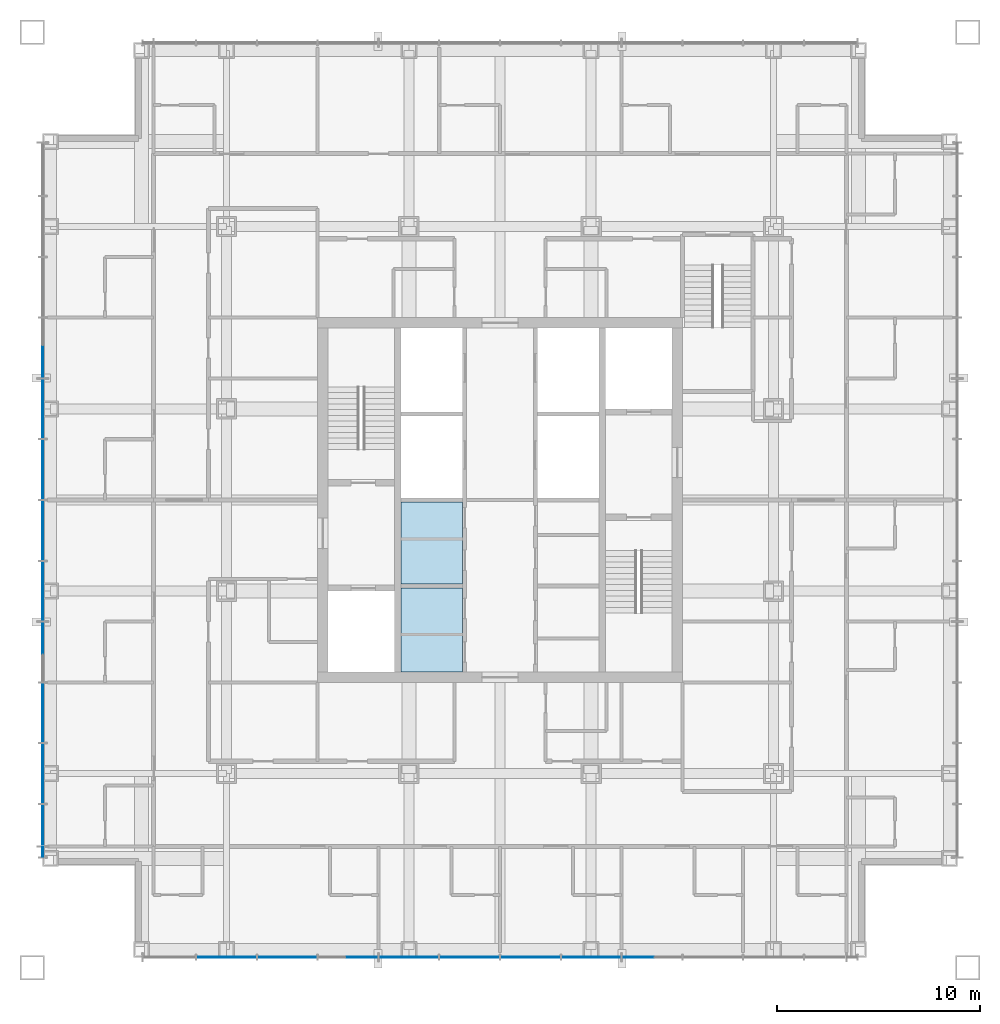
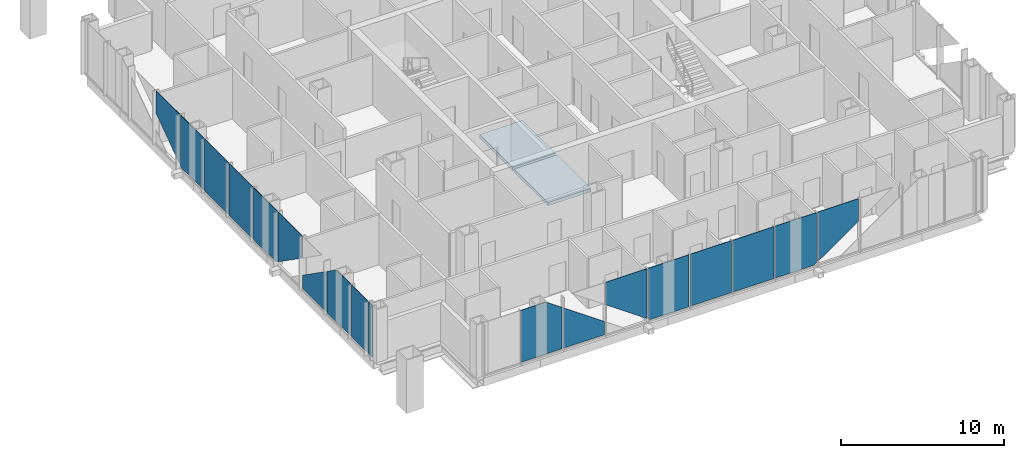
# One storey, part 6 of 16: 18 plates, 2 slabs, 2 elements without a shape of their own.
"""IFC4 building model written with IfcOpenShell, lengths in metres."""

from ifc_helpers import new_model, si_unit, direction, frame, origin, origin_2d, place, context, subcontext, project, spatial, polyline, rectangle, outline, extrude, material, layer, layer_set, type_object, element, aggregate, save


model = new_model("IFC4")

# Units and contexts
model_context = context("Model", 3, precision=1e-05, world=origin(), true_north=direction((0.0, 1.0)))
body_context = subcontext(model_context, "Body", "Model", "MODEL_VIEW")
ifc_project = project(units=[si_unit("LENGTHUNIT", "METRE"), si_unit("AREAUNIT", "SQUARE_METRE"), si_unit("VOLUMEUNIT", "CUBIC_METRE"), si_unit("PLANEANGLEUNIT", "RADIAN"), si_unit("MASSUNIT", "GRAM", prefix="KILO")], contexts=[model_context])

# Site, building, storey
site_placement = place(None, origin())
site = spatial("IfcSite", under=ifc_project, at=site_placement, CompositionType="ELEMENT")
building_placement = place(site_placement, origin())
building = spatial("IfcBuilding", under=site, at=building_placement, Name="Malebo Sky Hospital", CompositionType="ELEMENT")
storey_placement = place(building_placement, frame((0.0, 0.0, 197.0)))
storey = spatial("IfcBuildingStorey", under=building, at=storey_placement, Name="L47", CompositionType="ELEMENT", Elevation=197.0)

# Slabs
ifc_material_1 = material(Name="Concrete C40/50", Category="concrete")
ifc_layer_1 = layer(ifc_material_1, 0.25)
ifc_layer_set_1 = layer_set([ifc_layer_1], Name="SHAFT INFILL SLAB 250")
slab_type = type_object("IfcSlabType", Name="SHAFT INFILL SLAB 250", PredefinedType="FLOOR", material=ifc_layer_set_1)
slab_1_placement = place(storey_placement, frame((0.0, 0.0, -0.25)))
element("IfcSlab", 1, at=slab_1_placement, inside=storey, type_object=slab_type, Name="Shaft infill slab W1 L47", PredefinedType="FLOOR", context=body_context, shape_type="SweptSolid", body=[
    extrude(outline(polyline([(55.10009765625, 53.5), (58.14990234375, 53.5), (58.14990234375, 57.64990234375), (55.10009765625, 57.64990234375), (55.10009765625, 53.5)])), origin(), (0.0, 0.0, 1.0), 0.25),
])
slab_2_placement = place(storey_placement, frame((0.0, 0.0, -0.25)))
element("IfcSlab", 2, at=slab_2_placement, inside=storey, type_object=slab_type, Name="Shaft infill slab W2 L47", PredefinedType="FLOOR", context=body_context, shape_type="SweptSolid", body=[
    extrude(outline(polyline([(55.10009765625, 57.85009765625), (58.14990234375, 57.85009765625), (58.14990234375, 61.89990234375), (55.10009765625, 61.89990234375), (55.10009765625, 57.85009765625)])), origin(), (0.0, 0.0, 1.0), 0.25),
])

# Curtain wall, plates
ifc_material_2 = material(Name="Anodised aluminium, natural silver", Category="aluminium")
ifc_layer_2 = layer(ifc_material_2, 0.25)
ifc_layer_set_2 = layer_set([ifc_layer_2], Name="WARD CURTAIN WALL EAST AND WEST")
curtain_wall_type_1 = type_object("IfcCurtainWallType", Name="WARD CURTAIN WALL EAST AND WEST", PredefinedType="NOTDEFINED", material=ifc_layer_set_2)
curtain_wall_1_placement = place(storey_placement, origin())
curtain_wall_1 = element("IfcCurtainWall", 3, at=curtain_wall_1_placement, inside=storey, type_object=curtain_wall_type_1, Name="EW curtain wall W", PredefinedType="NOTDEFINED")
ifc_material_3 = material(Name="Clear low-iron double glazing", Category="glass")
ifc_layer_3 = layer(ifc_material_3, 0.031982421875)
ifc_layer_set_3 = layer_set([ifc_layer_3], Name="VISION PANEL CLEAR 32")
plate_type = type_object("IfcPlateType", Name="VISION PANEL CLEAR 32", PredefinedType="CURTAIN_PANEL", material=ifc_layer_set_3)
plate_1_placement = place(storey_placement, frame((37.425048828125, 44.61865234375, 0.10009765625), z_axis=(0.0, 0.0, 1.0), x_axis=(0.0, 1.0, 0.0)))
plate_1 = element("IfcPlate", 4, at=plate_1_placement, type_object=plate_type, Name="Panel 1", PredefinedType="CURTAIN_PANEL", context=body_context, shape_type="SweptSolid", body=[
    extrude(rectangle(XDim=0.487548828125, YDim=0.031982421875, at=origin_2d()), origin(), (0.0, 0.0, 1.0), 3.889892578125),
])
plate_2_placement = place(storey_placement, frame((37.425048828125, 45.949951171875, 0.10009765625), z_axis=(0.0, 0.0, 1.0), x_axis=(0.0, 1.0, 0.0)))
plate_2 = element("IfcPlate", 5, at=plate_2_placement, type_object=plate_type, Name="Panel 2", PredefinedType="CURTAIN_PANEL", context=body_context, shape_type="SweptSolid", body=[
    extrude(rectangle(XDim=2.02490234375, YDim=0.031982421875, at=origin_2d()), origin(), (0.0, 0.0, 1.0), 3.889892578125),
])
plate_3_placement = place(storey_placement, frame((37.425048828125, 48.5, 0.10009765625), z_axis=(0.0, 0.0, 1.0), x_axis=(0.0, 1.0, 0.0)))
plate_3 = element("IfcPlate", 6, at=plate_3_placement, type_object=plate_type, Name="Panel 3", PredefinedType="CURTAIN_PANEL", context=body_context, shape_type="SweptSolid", body=[
    extrude(outline(polyline([(-1.46240234375, 0.0), (1.46240234375, 0.0), (1.46240234375, 3.087890625), (0.3203125, 3.889892578125), (-1.46240234375, 3.889892578125), (-1.46240234375, 0.0)])), frame((0.0, 0.01611328125, 0.0), z_axis=(0.0, -1.0, 0.0), x_axis=(1.0, 0.0, 0.0)), (0.0, 0.0, 1.0), 0.031982421875),
])
plate_4_placement = place(storey_placement, frame((37.425048828125, 51.5, 0.099853515625), z_axis=(0.0, 0.0, 1.0), x_axis=(0.0, 1.0, 0.0)))
plate_4 = element("IfcPlate", 7, at=plate_4_placement, type_object=plate_type, Name="Panel 4", PredefinedType="CURTAIN_PANEL", context=body_context, shape_type="SweptSolid", body=[
    extrude(outline(polyline([(-1.46240234375, 0.0), (1.46240234375, 0.0), (1.46240234375, 0.980712890625), (-1.46240234375, 3.03515625), (-1.46240234375, 0.0)])), frame((0.0, 0.01611328125, 0.0), z_axis=(0.0, -1.0, 0.0), x_axis=(1.0, 0.0, 0.0)), (0.0, 0.0, 1.0), 0.031982421875),
])
plate_5_placement = place(storey_placement, frame((37.425048828125, 54.5, 0.2578125), z_axis=(0.0, 0.0, 1.0), x_axis=(0.0, 1.0, 0.0)))
plate_5 = element("IfcPlate", 8, at=plate_5_placement, type_object=plate_type, Name="Panel 5", PredefinedType="CURTAIN_PANEL", context=body_context, shape_type="SweptSolid", body=[
    extrude(outline(polyline([(1.46240234375, 0.0), (1.46240234375, 3.732177734375), (-1.46240234375, 3.732177734375), (-1.46240234375, 2.054443359375), (1.46240234375, 0.0)])), frame((0.0, 0.01611328125, 0.0), z_axis=(0.0, -1.0, 0.0), x_axis=(1.0, 0.0, 0.0)), (0.0, 0.0, 1.0), 0.031982421875),
])
plate_6_placement = place(storey_placement, frame((37.425048828125, 57.5, 0.10009765625), z_axis=(0.0, 0.0, 1.0), x_axis=(0.0, 1.0, 0.0)))
plate_6 = element("IfcPlate", 9, at=plate_6_placement, type_object=plate_type, Name="Panel 6", PredefinedType="CURTAIN_PANEL", context=body_context, shape_type="SweptSolid", body=[
    extrude(outline(polyline([(-1.312744140625, 0.0), (1.46240234375, 0.0), (1.46240234375, 3.889892578125), (-1.46240234375, 3.889892578125), (-1.46240234375, 0.10498046875), (-1.312744140625, 0.0)])), frame((0.0, 0.01611328125, 0.0), z_axis=(0.0, -1.0, 0.0), x_axis=(1.0, 0.0, 0.0)), (0.0, 0.0, 1.0), 0.031982421875),
])
plate_7_placement = place(storey_placement, frame((37.425048828125, 60.5, 0.10009765625), z_axis=(0.0, 0.0, 1.0), x_axis=(0.0, 1.0, 0.0)))
plate_7 = element("IfcPlate", 10, at=plate_7_placement, type_object=plate_type, Name="Panel 7", PredefinedType="CURTAIN_PANEL", context=body_context, shape_type="SweptSolid", body=[
    extrude(rectangle(XDim=2.925048828125, YDim=0.031982421875, at=origin_2d()), origin(), (0.0, 0.0, 1.0), 3.889892578125),
])
plate_8_placement = place(storey_placement, frame((37.425048828125, 63.5, 0.10009765625), z_axis=(0.0, 0.0, 1.0), x_axis=(0.0, 1.0, 0.0)))
plate_8 = element("IfcPlate", 11, at=plate_8_placement, type_object=plate_type, Name="Panel 8", PredefinedType="CURTAIN_PANEL", context=body_context, shape_type="SweptSolid", body=[
    extrude(rectangle(XDim=2.925048828125, YDim=0.031982421875, at=origin_2d()), origin(), (0.0, 0.0, 1.0), 3.889892578125),
])
plate_9_placement = place(storey_placement, frame((37.425048828125, 66.5, 0.10009765625), z_axis=(0.0, 0.0, 1.0), x_axis=(0.0, 1.0, 0.0)))
plate_9 = element("IfcPlate", 12, at=plate_9_placement, type_object=plate_type, Name="Panel 9", PredefinedType="CURTAIN_PANEL", context=body_context, shape_type="SweptSolid", body=[
    extrude(outline(polyline([(-1.46240234375, 0.0), (1.312744140625, 0.0), (1.46240234375, 0.10498046875), (1.46240234375, 3.889892578125), (-1.46240234375, 3.889892578125), (-1.46240234375, 0.0)])), frame((0.0, 0.01611328125, 0.0), z_axis=(0.0, -1.0, 0.0), x_axis=(1.0, 0.0, 0.0)), (0.0, 0.0, 1.0), 0.031982421875),
])
plate_10_placement = place(storey_placement, frame((37.425048828125, 69.5, 0.2578125), z_axis=(0.0, 0.0, 1.0), x_axis=(0.0, 1.0, 0.0)))
plate_10 = element("IfcPlate", 13, at=plate_10_placement, type_object=plate_type, Name="Panel 10", PredefinedType="CURTAIN_PANEL", context=body_context, shape_type="SweptSolid", body=[
    extrude(outline(polyline([(-1.46240234375, 0.0), (1.46240234375, 2.054443359375), (1.46240234375, 3.732177734375), (-1.46240234375, 3.732177734375), (-1.46240234375, 0.0)])), frame((0.0, 0.01611328125, 0.0), z_axis=(0.0, -1.0, 0.0), x_axis=(1.0, 0.0, 0.0)), (0.0, 0.0, 1.0), 0.031982421875),
])
aggregate(curtain_wall_1, [plate_1, plate_2, plate_3, plate_4, plate_5, plate_6, plate_7, plate_8, plate_9, plate_10])

ifc_layer_4 = layer(ifc_material_2, 0.25)
ifc_layer_set_4 = layer_set([ifc_layer_4], Name="WARD CURTAIN WALL NORTH AND SOUTH")
curtain_wall_type_2 = type_object("IfcCurtainWallType", Name="WARD CURTAIN WALL NORTH AND SOUTH", PredefinedType="NOTDEFINED", material=ifc_layer_set_4)
curtain_wall_2_placement = place(storey_placement, origin())
curtain_wall_2 = element("IfcCurtainWall", 14, at=curtain_wall_2_placement, inside=storey, type_object=curtain_wall_type_2, Name="NS curtain wall S", PredefinedType="NOTDEFINED")
plate_11_placement = place(storey_placement, frame((67.5, 39.425048828125, 0.2578125), z_axis=(0.0, 0.0, 1.0), x_axis=(-1.0, 0.0, 0.0)))
plate_11 = element("IfcPlate", 15, at=plate_11_placement, type_object=plate_type, Name="Panel 5", PredefinedType="CURTAIN_PANEL", context=body_context, shape_type="SweptSolid", body=[
    extrude(outline(polyline([(1.46240234375, 0.0), (1.46240234375, 3.732177734375), (-1.46240234375, 3.732177734375), (-1.46240234375, 2.054443359375), (1.46240234375, 0.0)])), frame((0.0, 0.01611328125, 0.0), z_axis=(0.0, -1.0, 0.0), x_axis=(1.0, 0.0, 0.0)), (0.0, 0.0, 1.0), 0.031982421875),
])
plate_12_placement = place(storey_placement, frame((64.5, 39.425048828125, 0.10009765625), z_axis=(0.0, 0.0, 1.0), x_axis=(-1.0, 0.0, 0.0)))
plate_12 = element("IfcPlate", 16, at=plate_12_placement, type_object=plate_type, Name="Panel 6", PredefinedType="CURTAIN_PANEL", context=body_context, shape_type="SweptSolid", body=[
    extrude(outline(polyline([(-1.312744140625, 0.0), (1.46240234375, 0.0), (1.46240234375, 3.889892578125), (-1.46240234375, 3.889892578125), (-1.46240234375, 0.10498046875), (-1.312744140625, 0.0)])), frame((0.0, 0.01611328125, 0.0), z_axis=(0.0, -1.0, 0.0), x_axis=(1.0, 0.0, 0.0)), (0.0, 0.0, 1.0), 0.031982421875),
])
plate_13_placement = place(storey_placement, frame((61.5, 39.425048828125, 0.10009765625), z_axis=(0.0, 0.0, 1.0), x_axis=(-1.0, 0.0, 0.0)))
plate_13 = element("IfcPlate", 17, at=plate_13_placement, type_object=plate_type, Name="Panel 7", PredefinedType="CURTAIN_PANEL", context=body_context, shape_type="SweptSolid", body=[
    extrude(rectangle(XDim=2.925048828125, YDim=0.031982421875, at=origin_2d()), origin(), (0.0, 0.0, 1.0), 3.889892578125),
])
plate_14_placement = place(storey_placement, frame((58.5, 39.425048828125, 0.10009765625), z_axis=(0.0, 0.0, 1.0), x_axis=(-1.0, 0.0, 0.0)))
plate_14 = element("IfcPlate", 18, at=plate_14_placement, type_object=plate_type, Name="Panel 8", PredefinedType="CURTAIN_PANEL", context=body_context, shape_type="SweptSolid", body=[
    extrude(rectangle(XDim=2.925048828125, YDim=0.031982421875, at=origin_2d()), origin(), (0.0, 0.0, 1.0), 3.889892578125),
])
plate_15_placement = place(storey_placement, frame((55.5, 39.425048828125, 0.10009765625), z_axis=(0.0, 0.0, 1.0), x_axis=(-1.0, 0.0, 0.0)))
plate_15 = element("IfcPlate", 19, at=plate_15_placement, type_object=plate_type, Name="Panel 9", PredefinedType="CURTAIN_PANEL", context=body_context, shape_type="SweptSolid", body=[
    extrude(outline(polyline([(-1.46240234375, 0.0), (1.312744140625, 0.0), (1.46240234375, 0.10498046875), (1.46240234375, 3.889892578125), (-1.46240234375, 3.889892578125), (-1.46240234375, 0.0)])), frame((0.0, 0.01611328125, 0.0), z_axis=(0.0, -1.0, 0.0), x_axis=(1.0, 0.0, 0.0)), (0.0, 0.0, 1.0), 0.031982421875),
])
plate_16_placement = place(storey_placement, frame((52.5, 39.425048828125, 0.2578125), z_axis=(0.0, 0.0, 1.0), x_axis=(-1.0, 0.0, 0.0)))
plate_16 = element("IfcPlate", 20, at=plate_16_placement, type_object=plate_type, Name="Panel 10", PredefinedType="CURTAIN_PANEL", context=body_context, shape_type="SweptSolid", body=[
    extrude(outline(polyline([(-1.46240234375, 0.0), (1.46240234375, 2.054443359375), (1.46240234375, 3.732177734375), (-1.46240234375, 3.732177734375), (-1.46240234375, 0.0)])), frame((0.0, 0.01611328125, 0.0), z_axis=(0.0, -1.0, 0.0), x_axis=(1.0, 0.0, 0.0)), (0.0, 0.0, 1.0), 0.031982421875),
])
plate_17_placement = place(storey_placement, frame((49.5, 39.425048828125, 0.099853515625), z_axis=(0.0, 0.0, 1.0), x_axis=(-1.0, 0.0, 0.0)))
plate_17 = element("IfcPlate", 21, at=plate_17_placement, type_object=plate_type, Name="Panel 11", PredefinedType="CURTAIN_PANEL", context=body_context, shape_type="SweptSolid", body=[
    extrude(outline(polyline([(-1.46240234375, 0.0), (1.46240234375, 0.0), (1.46240234375, 3.03515625), (-1.46240234375, 0.980712890625), (-1.46240234375, 0.0)])), frame((0.0, 0.01611328125, 0.0), z_axis=(0.0, -1.0, 0.0), x_axis=(1.0, 0.0, 0.0)), (0.0, 0.0, 1.0), 0.031982421875),
])
plate_18_placement = place(storey_placement, frame((46.5, 39.425048828125, 0.10009765625), z_axis=(0.0, 0.0, 1.0), x_axis=(-1.0, 0.0, 0.0)))
plate_18 = element("IfcPlate", 22, at=plate_18_placement, type_object=plate_type, Name="Panel 12", PredefinedType="CURTAIN_PANEL", context=body_context, shape_type="SweptSolid", body=[
    extrude(outline(polyline([(-1.46240234375, 0.0), (1.46240234375, 0.0), (1.46240234375, 3.889892578125), (-0.3203125, 3.889892578125), (-1.46240234375, 3.087890625), (-1.46240234375, 0.0)])), frame((0.0, 0.01611328125, 0.0), z_axis=(0.0, -1.0, 0.0), x_axis=(1.0, 0.0, 0.0)), (0.0, 0.0, 1.0), 0.031982421875),
])
aggregate(curtain_wall_2, [plate_11, plate_12, plate_13, plate_14, plate_15, plate_16, plate_17, plate_18])

save(model, "model.ifc")
